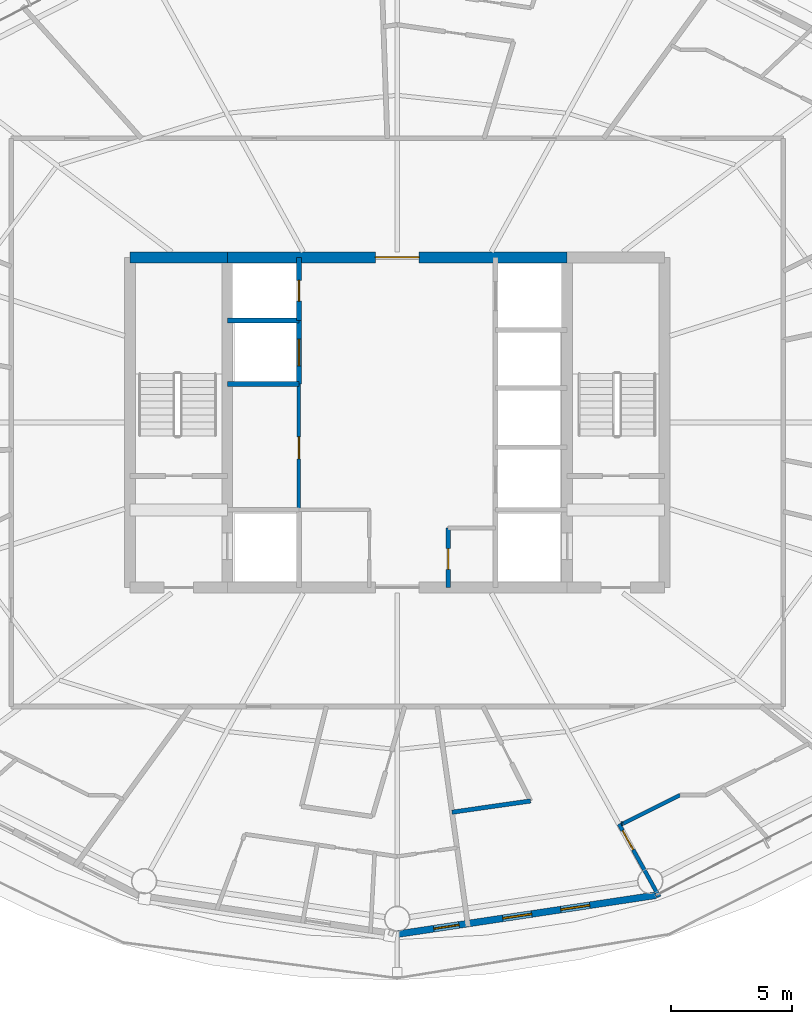
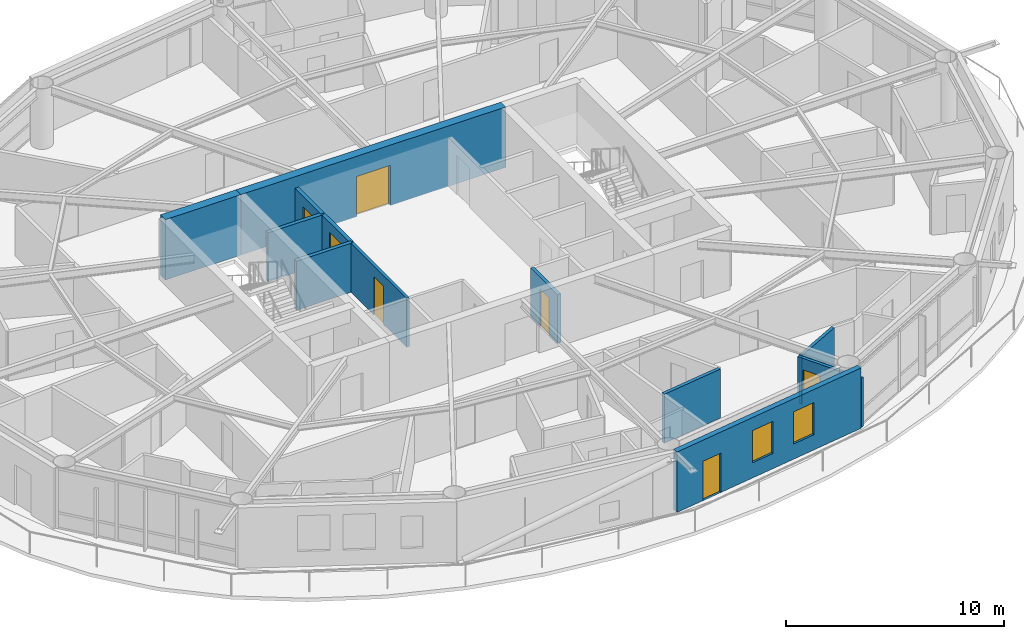
# One storey, part 22 of 30: 13 walls, 7 doors, 2 windows, 9 openings.
"""IFC4 building model written with IfcOpenShell, lengths in metres."""

from ifc_helpers import new_model, si_unit, direction, frame, frame_2d, origin, place, context, subcontext, project, spatial, rectangle, extrude, material, layer, layer_set, type_object, element, fill, save


model = new_model("IFC4")

# Units and contexts
model_context = context("Model", 3, precision=1e-05, world=origin(), true_north=direction((0.0, 1.0)))
body_context = subcontext(model_context, "Body", "Model", "MODEL_VIEW")
ifc_project = project(units=[si_unit("LENGTHUNIT", "METRE"), si_unit("AREAUNIT", "SQUARE_METRE"), si_unit("VOLUMEUNIT", "CUBIC_METRE"), si_unit("PLANEANGLEUNIT", "RADIAN"), si_unit("MASSUNIT", "GRAM", prefix="KILO")], contexts=[model_context])

# Site, building, storey
site_placement = place(None, origin())
site = spatial("IfcSite", under=ifc_project, at=site_placement, CompositionType="ELEMENT")
building_placement = place(site_placement, origin())
building = spatial("IfcBuilding", under=site, at=building_placement, Name="Sarneth Arch Tower", CompositionType="ELEMENT")
storey_placement = place(building_placement, frame((0.0, 0.0, 161.39990234375)))
storey = spatial("IfcBuildingStorey", under=building, at=storey_placement, Name="L40", CompositionType="ELEMENT", Elevation=161.39990234375)

# Wall
ifc_material_1 = material(Name="Concrete C50/60", Category="concrete")
ifc_layer_1 = layer(ifc_material_1, 0.449951171875)
ifc_layer_set_1 = layer_set([ifc_layer_1], Name="Concrete C50/60")
wall_type_1 = type_object("IfcWallType", Name="WALL-CORE-450", PredefinedType="SHEAR", material=ifc_layer_set_1)
wall_1_placement = place(storey_placement, frame((37.0, 48.800048828125, 0.0), z_axis=(0.0, 0.0, 1.0), x_axis=(1.0, 0.0, 0.0)))
element("IfcWall", 1, at=wall_1_placement, inside=storey, type_object=wall_type_1, Name="L40 Core shear wall N-W", PredefinedType="SHEAR", context=body_context, shape_type="SweptSolid", body=[
    extrude(rectangle(XDim=4.0, YDim=0.449951171875, at=frame_2d((2.0, 0.0))), origin(), (0.0, 0.0, 1.0), 3.380126953125),
])

# Wall, opening, door
wall_2_placement = place(storey_placement, frame((41.0, 48.800048828125, 0.0), z_axis=(0.0, 0.0, 1.0), x_axis=(1.0, 0.0, 0.0)))
wall_2 = element("IfcWall", 2, at=wall_2_placement, inside=storey, type_object=wall_type_1, Name="L40 Core shear wall N-M", PredefinedType="SHEAR", context=body_context, shape_type="SweptSolid", body=[
    extrude(rectangle(XDim=14.0, YDim=0.449951171875, at=frame_2d((7.0, 0.0))), origin(), (0.0, 0.0, 1.0), 3.380126953125),
])
opening_1_placement = place(wall_2_placement, frame((6.10009765625, 0.0, 0.0)))
opening_1 = element("IfcOpeningElement", 3, at=opening_1_placement, cuts=wall_2, Name="Opening FD-01", PredefinedType="OPENING", context=body_context, shape_type="SweptSolid", body=[
    extrude(rectangle(XDim=1.800048828125, YDim=2.25, at=frame_2d((0.89990234375, 1.125))), frame((0.0, 0.23486328125, 0.0), z_axis=(0.0, -1.0, 0.0), x_axis=(1.0, 0.0, 0.0)), (0.0, 0.0, 1.0), 0.469970703125),
])
ifc_material_2 = material(Name="Galvanised Steel S275 fire door set", Category="steel")
door_type_1 = type_object("IfcDoorType", Name="DR-FD90-1800", OperationType="DOUBLE_DOOR_SINGLE_SWING", PredefinedType="DOOR", material=ifc_material_2)
door_1_placement = place(opening_1_placement, origin())
door_1 = element("IfcDoor", 4, at=door_1_placement, inside=storey, type_object=door_type_1, Name="L40 Central lift lobby north door", OperationType="DOUBLE_DOOR_SINGLE_SWING", OverallHeight=2.25, OverallWidth=1.800048828125, PredefinedType="DOOR", context=body_context, shape_type="SweptSolid", body=[
    extrude(rectangle(XDim=1.800048828125, YDim=2.25, at=frame_2d((0.89990234375, 1.125))), frame((0.0, 0.02490234375, 0.0), z_axis=(0.0, -1.0, 0.0), x_axis=(1.0, 0.0, 0.0)), (0.0, 0.0, 1.0), 0.050048828125),
])
fill(opening_1, door_1)

# Wall, openings, door, windows
ifc_material_3 = material(Name="Extruded terracotta rainscreen on Concrete C40/50 backing", Category="masonry")
ifc_layer_2 = layer(ifc_material_3, 0.280029296875)
ifc_layer_set_2 = layer_set([ifc_layer_2], Name="Extruded terracotta rainscreen on Concrete C40/50 backing")
wall_type_2 = type_object("IfcWallType", Name="WALL-EXT-TERRA-280", PredefinedType="SOLIDWALL", material=ifc_layer_set_2)
wall_3_placement = place(storey_placement, frame((48.0, 20.919921875, 0.0), z_axis=(0.0, 0.0, 1.0), x_axis=(0.988863993413, 0.148822049884, 0.0)))
wall_3 = element("IfcWall", 5, at=wall_3_placement, inside=storey, type_object=wall_type_2, Name="L40 Terracotta perimeter wall 13", PredefinedType="SOLIDWALL", context=body_context, shape_type="SweptSolid", body=[
    extrude(rectangle(XDim=10.782958984375, YDim=0.280029296875, at=frame_2d((5.3916015625, 0.0))), origin(), (0.0, 0.0, 1.0), 3.380126953125),
])
opening_2_placement = place(wall_3_placement, frame((1.523681640625, 0.0, 0.0)))
opening_2 = element("IfcOpeningElement", 6, at=opening_2_placement, cuts=wall_3, Name="Opening BD-4", PredefinedType="OPENING", context=body_context, shape_type="SweptSolid", body=[
    extrude(rectangle(XDim=1.050048828125, YDim=2.199951171875, at=frame_2d((0.52490234375, 1.10009765625))), frame((0.0, 0.14990234375, 0.0), z_axis=(0.0, -1.0, 0.0), x_axis=(1.0, 0.0, 0.0)), (0.0, 0.0, 1.0), 0.300048828125),
])
opening_3_placement = place(wall_3_placement, frame((4.39892578125, 0.0, 0.85009765625)))
opening_3 = element("IfcOpeningElement", 7, at=opening_3_placement, cuts=wall_3, Name="Opening W-09", PredefinedType="OPENING", context=body_context, shape_type="SweptSolid", body=[
    extrude(rectangle(XDim=1.199951171875, YDim=1.800048828125, at=frame_2d((0.60009765625, 0.89990234375))), frame((0.0, 0.14990234375, 0.0), z_axis=(0.0, -1.0, 0.0), x_axis=(1.0, 0.0, 0.0)), (0.0, 0.0, 1.0), 0.300048828125),
])
opening_4_placement = place(wall_3_placement, frame((6.81494140625, 0.0, 0.85009765625)))
opening_4 = element("IfcOpeningElement", 8, at=opening_4_placement, cuts=wall_3, Name="Opening W-09", PredefinedType="OPENING", context=body_context, shape_type="SweptSolid", body=[
    extrude(rectangle(XDim=1.199951171875, YDim=1.800048828125, at=frame_2d((0.60009765625, 0.89990234375))), frame((0.0, 0.14990234375, 0.0), z_axis=(0.0, -1.0, 0.0), x_axis=(1.0, 0.0, 0.0)), (0.0, 0.0, 1.0), 0.300048828125),
])
ifc_material_4 = material(Name="Thermally broken Aluminium 6063-T6 and laminated safety glass", Category="aluminium")
door_type_2 = type_object("IfcDoorType", Name="DR-BALC-GLZ-1050", OperationType="SINGLE_SWING_RIGHT", PredefinedType="DOOR", material=ifc_material_4)
door_2_placement = place(opening_2_placement, origin())
door_2 = element("IfcDoor", 9, at=door_2_placement, inside=storey, type_object=door_type_2, Name="L40 Balcony glazed door 13", OperationType="SINGLE_SWING_RIGHT", OverallHeight=2.199951171875, OverallWidth=1.050048828125, PredefinedType="DOOR", context=body_context, shape_type="SweptSolid", body=[
    extrude(rectangle(XDim=1.050048828125, YDim=2.199951171875, at=frame_2d((0.52490234375, 1.10009765625))), frame((0.0, 0.02490234375, 0.0), z_axis=(0.0, -1.0, 0.0), x_axis=(1.0, 0.0, 0.0)), (0.0, 0.0, 1.0), 0.050048828125),
])
fill(opening_2, door_2)
ifc_material_5 = material(Name="Thermally broken Aluminium 6063-T6 and low-e laminated IGU", Category="aluminium")
window_type = type_object("IfcWindowType", Name="WIN-TWR-1200x1800", PartitioningType="SINGLE_PANEL", PredefinedType="WINDOW", material=ifc_material_5)
window_1_placement = place(opening_3_placement, origin())
window_1 = element("IfcWindow", 10, at=window_1_placement, inside=storey, type_object=window_type, Name="L40 Exterior window 13A", OverallHeight=1.800048828125, OverallWidth=1.199951171875, PartitioningType="SINGLE_PANEL", PredefinedType="WINDOW", context=body_context, shape_type="SweptSolid", body=[
    extrude(rectangle(XDim=1.199951171875, YDim=1.800048828125, at=frame_2d((0.60009765625, 0.89990234375))), frame((0.0, 0.030029296875, 0.0), z_axis=(0.0, -1.0, 0.0), x_axis=(1.0, 0.0, 0.0)), (0.0, 0.0, 1.0), 0.06005859375),
])
fill(opening_3, window_1)
window_2_placement = place(opening_4_placement, origin())
window_2 = element("IfcWindow", 11, at=window_2_placement, inside=storey, type_object=window_type, Name="L40 Exterior window 13B", OverallHeight=1.800048828125, OverallWidth=1.199951171875, PartitioningType="SINGLE_PANEL", PredefinedType="WINDOW", context=body_context, shape_type="SweptSolid", body=[
    extrude(rectangle(XDim=1.199951171875, YDim=1.800048828125, at=frame_2d((0.60009765625, 0.89990234375))), frame((0.0, 0.030029296875, 0.0), z_axis=(0.0, -1.0, 0.0), x_axis=(1.0, 0.0, 0.0)), (0.0, 0.0, 1.0), 0.06005859375),
])
fill(opening_4, window_2)

# Wall, opening, door
ifc_material_6 = material(Name="Acoustic gypsum stud partition", Category="gypsum")
ifc_layer_3 = layer(ifc_material_6, 0.14990234375)
ifc_layer_set_3 = layer_set([ifc_layer_3], Name="Acoustic gypsum stud partition")
wall_type_3 = type_object("IfcWallType", Name="WALL-PART-150", PredefinedType="PARTITIONING", material=ifc_layer_set_3)
wall_4_placement = place(storey_placement, frame((43.949951171875, 38.39990234375, 0.0), z_axis=(0.0, 0.0, 1.0), x_axis=(0.0, 1.0, 0.0)))
wall_4 = element("IfcWall", 12, at=wall_4_placement, inside=storey, type_object=wall_type_3, Name="L40 Interior partition W-L40-RECPL-E", PredefinedType="PARTITIONING", context=body_context, shape_type="SweptSolid", body=[
    extrude(rectangle(XDim=5.18017578125, YDim=0.14990234375, at=frame_2d((2.590087890625, 0.0))), origin(), (0.0, 0.0, 1.0), 2.739990234375),
])
opening_5_placement = place(wall_4_placement, frame((2.10009765625, 0.0, 0.0)))
opening_5 = element("IfcOpeningElement", 13, at=opening_5_placement, cuts=wall_4, Name="Opening FD-10", PredefinedType="OPENING", context=body_context, shape_type="SweptSolid", body=[
    extrude(rectangle(XDim=0.89990234375, YDim=2.14990234375, at=frame_2d((0.449951171875, 1.074951171875))), frame((0.0, 0.0849609375, 0.0), z_axis=(0.0, -1.0, 0.0), x_axis=(1.0, 0.0, 0.0)), (0.0, 0.0, 1.0), 0.169921875),
])
ifc_material_7 = material(Name="Galvanised Steel S275 riser/service fire door", Category="steel")
door_type_3 = type_object("IfcDoorType", Name="DR-FD60-900", OperationType="SINGLE_SWING_LEFT", PredefinedType="DOOR", material=ifc_material_7)
door_3_placement = place(opening_5_placement, origin())
door_3 = element("IfcDoor", 14, at=door_3_placement, inside=storey, type_object=door_type_3, Name="L40 Interior door DR-L40-RECPL1", OperationType="SINGLE_SWING_LEFT", OverallHeight=2.14990234375, OverallWidth=0.89990234375, PredefinedType="DOOR", context=body_context, shape_type="SweptSolid", body=[
    extrude(rectangle(XDim=0.89990234375, YDim=2.14990234375, at=frame_2d((0.449951171875, 1.074951171875))), frame((0.0, 0.02490234375, 0.0), z_axis=(0.0, -1.0, 0.0), x_axis=(1.0, 0.0, 0.0)), (0.0, 0.0, 1.0), 0.050048828125),
])
fill(opening_5, door_3)

ifc_material_8 = material(Name="Kitchen wet service chase wall", Category="gypsum")
ifc_layer_4 = layer(ifc_material_8, 0.159912109375)
ifc_layer_set_4 = layer_set([ifc_layer_4], Name="Kitchen wet service chase wall")
wall_type_4 = type_object("IfcWallType", Name="WALL-PLUMB-160", PredefinedType="PLUMBINGWALL", material=ifc_layer_set_4)
wall_5_placement = place(storey_placement, frame((57.135498046875, 25.456298828125, 0.0), z_axis=(0.0, 0.0, 1.0), x_axis=(0.483427589536, -0.875384353113, 0.0)))
wall_5 = element("IfcWall", 15, at=wall_5_placement, inside=storey, type_object=wall_type_4, Name="L40 Interior partition W-L40-TP-102", PredefinedType="PLUMBINGWALL", context=body_context, shape_type="SweptSolid", body=[
    extrude(rectangle(XDim=3.427001953125, YDim=0.159912109375, at=frame_2d((1.71337890625, 0.0))), origin(), (0.0, 0.0, 1.0), 2.739990234375),
])
opening_6_placement = place(wall_5_placement, frame((0.303466796875, 0.0, 0.0)))
opening_6 = element("IfcOpeningElement", 16, at=opening_6_placement, cuts=wall_5, Name="Opening ID-01", PredefinedType="OPENING", context=body_context, shape_type="SweptSolid", body=[
    extrude(rectangle(XDim=0.89990234375, YDim=2.10009765625, at=frame_2d((0.449951171875, 1.050048828125))), frame((0.0, 0.08984375, 0.0), z_axis=(0.0, -1.0, 0.0), x_axis=(1.0, 0.0, 0.0)), (0.0, 0.0, 1.0), 0.179931640625),
])
ifc_material_9 = material(Name="Engineered hardwood flush door", Category="wood")
door_type_4 = type_object("IfcDoorType", Name="DR-INT-900", OperationType="SINGLE_SWING_LEFT", PredefinedType="DOOR", material=ifc_material_9)
door_4_placement = place(opening_6_placement, origin())
door_4 = element("IfcDoor", 17, at=door_4_placement, inside=storey, type_object=door_type_4, Name="L40 Interior door DR-L40-U7-KIT", OperationType="SINGLE_SWING_RIGHT", OverallHeight=2.10009765625, OverallWidth=0.89990234375, PredefinedType="DOOR", context=body_context, shape_type="SweptSolid", body=[
    extrude(rectangle(XDim=0.89990234375, YDim=2.10009765625, at=frame_2d((0.449951171875, 1.050048828125))), frame((0.0, 0.02490234375, 0.0), z_axis=(0.0, -1.0, 0.0), x_axis=(1.0, 0.0, 0.0)), (0.0, 0.0, 1.0), 0.050048828125),
])
fill(opening_6, door_4)

# Walls
wall_6_placement = place(storey_placement, frame((59.651123046875, 26.64990234375, 0.0), z_axis=(0.0, 0.0, 1.0), x_axis=(-0.895041110332, -0.445983644112, 0.0)))
element("IfcWall", 18, at=wall_6_placement, inside=storey, type_object=wall_type_4, Name="L40 Interior partition W-L40-TP-100", PredefinedType="PLUMBINGWALL", context=body_context, shape_type="SweptSolid", body=[
    extrude(rectangle(XDim=2.62109375, YDim=0.159912109375, at=frame_2d((1.310546875, 0.0))), origin(), (0.0, 0.0, 1.0), 2.739990234375),
])
wall_7_placement = place(storey_placement, frame((57.293212890625, 25.479248046875, 0.0), z_axis=(0.0, 0.0, 1.0), x_axis=(-0.989532981063, -0.144306893072, 0.0)))
element("IfcWall", 19, at=wall_7_placement, inside=storey, type_object=wall_type_4, Name="L40 Interior partition W-L40-TP-101", PredefinedType="PLUMBINGWALL", context=body_context, shape_type="SweptSolid", body=[
    extrude(rectangle(XDim=0.059326171875, YDim=0.159912109375, at=frame_2d((0.02978515625, 0.0))), origin(), (0.0, 0.0, 1.0), 2.739990234375),
])

# Wall, opening, door
ifc_material_10 = material(Name="Moisture-resistant plumbing chase wall", Category="gypsum")
ifc_layer_5 = layer(ifc_material_10, 0.179931640625)
ifc_layer_set_5 = layer_set([ifc_layer_5], Name="Moisture-resistant plumbing chase wall")
wall_type_5 = type_object("IfcWallType", Name="WALL-PLUMB-180", PredefinedType="PLUMBINGWALL", material=ifc_layer_set_5)
wall_8_placement = place(storey_placement, frame((50.10009765625, 35.199951171875, 0.0), z_axis=(0.0, 0.0, 1.0), x_axis=(0.0, 1.0, 0.0)))
wall_8 = element("IfcWall", 20, at=wall_8_placement, inside=storey, type_object=wall_type_5, Name="L40 Interior partition W-L40-AWC-W", PredefinedType="PLUMBINGWALL", context=body_context, shape_type="SweptSolid", body=[
    extrude(rectangle(XDim=2.449951171875, YDim=0.179931640625, at=frame_2d((1.22509765625, 0.0))), origin(), (0.0, 0.0, 1.0), 2.739990234375),
])
opening_7_placement = place(wall_8_placement, frame((0.75, 0.0, 0.0)))
opening_7 = element("IfcOpeningElement", 21, at=opening_7_placement, cuts=wall_8, Name="Opening ID-02", PredefinedType="OPENING", context=body_context, shape_type="SweptSolid", body=[
    extrude(rectangle(XDim=0.85009765625, YDim=2.10009765625, at=frame_2d((0.425048828125, 1.050048828125))), frame((0.0, 0.099853515625, 0.0), z_axis=(0.0, -1.0, 0.0), x_axis=(1.0, 0.0, 0.0)), (0.0, 0.0, 1.0), 0.199951171875),
])
ifc_material_11 = material(Name="Moisture-resistant bathroom timber door", Category="wood")
door_type_5 = type_object("IfcDoorType", Name="DR-INT-850", OperationType="SINGLE_SWING_RIGHT", PredefinedType="DOOR", material=ifc_material_11)
door_5_placement = place(opening_7_placement, origin())
door_5 = element("IfcDoor", 22, at=door_5_placement, inside=storey, type_object=door_type_5, Name="L40 Interior door DR-L40-AWC", OperationType="SINGLE_SWING_RIGHT", OverallHeight=2.10009765625, OverallWidth=0.85009765625, PredefinedType="DOOR", context=body_context, shape_type="SweptSolid", body=[
    extrude(rectangle(XDim=0.85009765625, YDim=2.10009765625, at=frame_2d((0.425048828125, 1.050048828125))), frame((0.0, 0.02490234375, 0.0), z_axis=(0.0, -1.0, 0.0), x_axis=(1.0, 0.0, 0.0)), (0.0, 0.0, 1.0), 0.050048828125),
])
fill(opening_7, door_5)

# Walls
wall_9_placement = place(storey_placement, frame((50.256591796875, 25.9443359375, 0.0), z_axis=(0.0, 0.0, 1.0), x_axis=(0.989826700743, 0.142278257286, 0.0)))
element("IfcWall", 23, at=wall_9_placement, inside=storey, type_object=wall_type_5, Name="L40 Interior partition W-L40-TP-103", PredefinedType="PLUMBINGWALL", context=body_context, shape_type="SweptSolid", body=[
    extrude(rectangle(XDim=3.2705078125, YDim=0.179931640625, at=frame_2d((1.63525390625, 0.0))), origin(), (0.0, 0.0, 1.0), 2.739990234375),
])
ifc_material_12 = material(Name="Aerated concrete blockwork C25/30", Category="masonry")
ifc_layer_6 = layer(ifc_material_12, 0.199951171875)
ifc_layer_set_6 = layer_set([ifc_layer_6], Name="Aerated concrete blockwork C25/30")
wall_type_6 = type_object("IfcWallType", Name="WALL-SHAFT-200", PredefinedType="SOLIDWALL", material=ifc_layer_set_6)
wall_10_placement = place(storey_placement, frame((41.0, 46.199951171875, 0.0), z_axis=(0.0, 0.0, 1.0), x_axis=(1.0, 0.0, 0.0)))
element("IfcWall", 24, at=wall_10_placement, inside=storey, type_object=wall_type_6, Name="L40 Interior partition W-L40-RISER-S", PredefinedType="SOLIDWALL", context=body_context, shape_type="SweptSolid", body=[
    extrude(rectangle(XDim=2.949951171875, YDim=0.199951171875, at=frame_2d((1.47509765625, 0.0))), origin(), (0.0, 0.0, 1.0), 2.739990234375),
])

# Wall, opening, door
wall_11_placement = place(storey_placement, frame((43.949951171875, 46.199951171875, 0.0), z_axis=(0.0, 0.0, 1.0), x_axis=(0.0, 1.0, 0.0)))
wall_11 = element("IfcWall", 25, at=wall_11_placement, inside=storey, type_object=wall_type_6, Name="L40 Interior partition W-L40-RISER-E", PredefinedType="SOLIDWALL", context=body_context, shape_type="SweptSolid", body=[
    extrude(rectangle(XDim=2.60009765625, YDim=0.199951171875, at=frame_2d((1.300048828125, 0.0))), origin(), (0.0, 0.0, 1.0), 2.739990234375),
])
opening_8_placement = place(wall_11_placement, frame((0.800048828125, 0.0, 0.0)))
opening_8 = element("IfcOpeningElement", 26, at=opening_8_placement, cuts=wall_11, Name="Opening FD-11", PredefinedType="OPENING", context=body_context, shape_type="SweptSolid", body=[
    extrude(rectangle(XDim=0.85009765625, YDim=2.14990234375, at=frame_2d((0.425048828125, 1.074951171875))), frame((0.0, 0.10986328125, 0.0), z_axis=(0.0, -1.0, 0.0), x_axis=(1.0, 0.0, 0.0)), (0.0, 0.0, 1.0), 0.219970703125),
])
ifc_material_13 = material(Name="Galvanised Steel S275 closet fire door", Category="steel")
door_type_6 = type_object("IfcDoorType", Name="DR-FD60-850", OperationType="SINGLE_SWING_LEFT", PredefinedType="DOOR", material=ifc_material_13)
door_6_placement = place(opening_8_placement, origin())
door_6 = element("IfcDoor", 27, at=door_6_placement, inside=storey, type_object=door_type_6, Name="L40 Lift landing door DR-L40-RISER", OperationType="SINGLE_SWING_LEFT", OverallHeight=2.14990234375, OverallWidth=0.85009765625, PredefinedType="DOOR", context=body_context, shape_type="SweptSolid", body=[
    extrude(rectangle(XDim=0.85009765625, YDim=2.14990234375, at=frame_2d((0.425048828125, 1.074951171875))), frame((0.0, 0.02490234375, 0.0), z_axis=(0.0, -1.0, 0.0), x_axis=(1.0, 0.0, 0.0)), (0.0, 0.0, 1.0), 0.050048828125),
])
fill(opening_8, door_6)

# Wall
wall_12_placement = place(storey_placement, frame((41.0, 43.580078125, 0.0), z_axis=(0.0, 0.0, 1.0), x_axis=(1.0, 0.0, 0.0)))
element("IfcWall", 28, at=wall_12_placement, inside=storey, type_object=wall_type_6, Name="L40 Interior partition W-L40-PM1-S", PredefinedType="SOLIDWALL", context=body_context, shape_type="SweptSolid", body=[
    extrude(rectangle(XDim=2.949951171875, YDim=0.199951171875, at=frame_2d((1.47509765625, 0.0))), origin(), (0.0, 0.0, 1.0), 2.739990234375),
])

# Wall, opening, door
wall_13_placement = place(storey_placement, frame((43.949951171875, 43.580078125, 0.0), z_axis=(0.0, 0.0, 1.0), x_axis=(0.0, 1.0, 0.0)))
wall_13 = element("IfcWall", 29, at=wall_13_placement, inside=storey, type_object=wall_type_6, Name="L40 Interior partition W-L40-PM1-FRONT", PredefinedType="SOLIDWALL", context=body_context, shape_type="SweptSolid", body=[
    extrude(rectangle(XDim=2.619873046875, YDim=0.199951171875, at=frame_2d((1.31005859375, 0.0))), origin(), (0.0, 0.0, 1.0), 2.739990234375),
])
opening_9_placement = place(wall_13_placement, frame((0.75, 0.0, 0.0)))
opening_9 = element("IfcOpeningElement", 30, at=opening_9_placement, cuts=wall_13, Name="Opening LD-1", PredefinedType="OPENING", context=body_context, shape_type="SweptSolid", body=[
    extrude(rectangle(XDim=1.10009765625, YDim=2.199951171875, at=frame_2d((0.550048828125, 1.10009765625))), frame((0.0, 0.10986328125, 0.0), z_axis=(0.0, -1.0, 0.0), x_axis=(1.0, 0.0, 0.0)), (0.0, 0.0, 1.0), 0.219970703125),
])
ifc_material_14 = material(Name="Brushed Stainless Steel 304 lift landing door", Category="steel")
door_type_7 = type_object("IfcDoorType", Name="DR-LIFT-SLIDE-1100", OperationType="SLIDING_TO_LEFT", PredefinedType="DOOR", material=ifc_material_14)
door_7_placement = place(opening_9_placement, origin())
door_7 = element("IfcDoor", 31, at=door_7_placement, inside=storey, type_object=door_type_7, Name="L40 Lift landing door DR-L40-LD-PM1", OperationType="SLIDING_TO_LEFT", OverallHeight=2.199951171875, OverallWidth=1.10009765625, PredefinedType="DOOR", context=body_context, shape_type="SweptSolid", body=[
    extrude(rectangle(XDim=1.10009765625, YDim=2.199951171875, at=frame_2d((0.550048828125, 1.10009765625))), frame((0.0, 0.02490234375, 0.0), z_axis=(0.0, -1.0, 0.0), x_axis=(1.0, 0.0, 0.0)), (0.0, 0.0, 1.0), 0.050048828125),
])
fill(opening_9, door_7)

save(model, "model.ifc")
